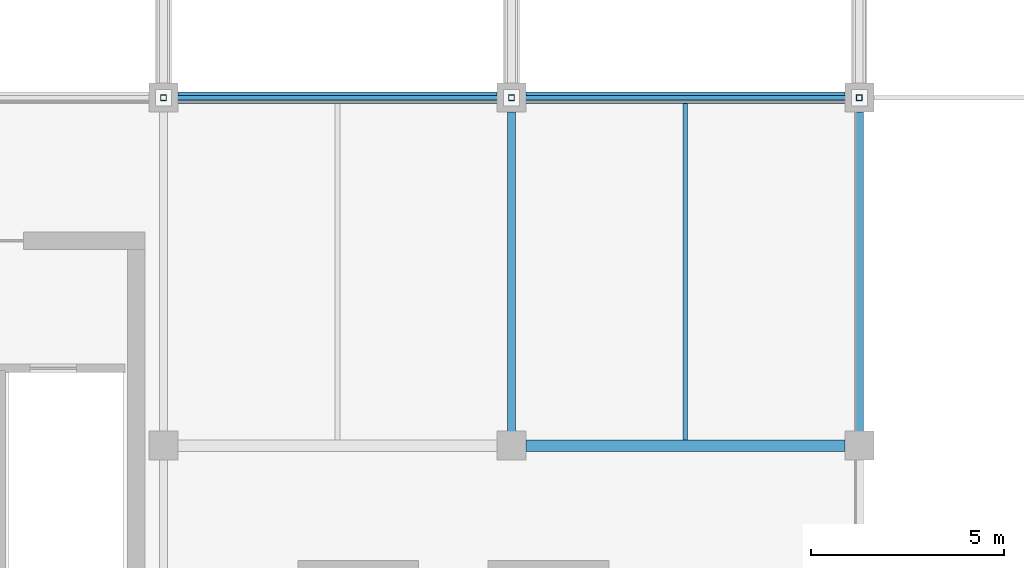
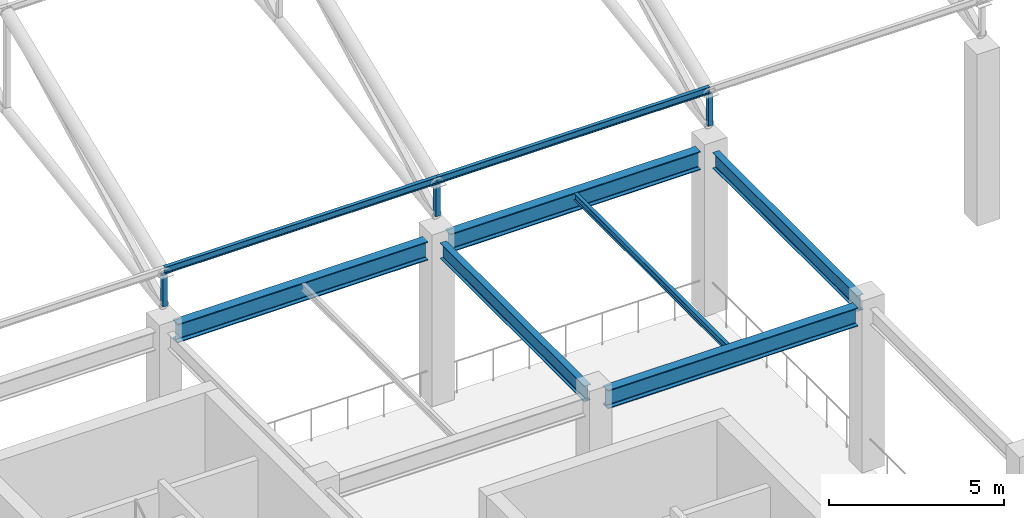
# One storey, part 82 of 223: 6 beams, 5 members.
"""IFC4 building model written with IfcOpenShell, lengths in metres."""

import ifcopenshell
import ifcopenshell.guid

model = None  # the IFC model being written
_history = None  # IfcOwnerHistory: only IFC2X3 demands one
_inside = {}  # id of a spatial element -> (the spatial element, [elements in it])
_under = {}  # id of a project, library or spatial element -> (it, [spatial elements below it])
_declared = {}  # id of a project -> (the project, [libraries it declares])
_typed = {}  # id of a type object -> (the type object, [elements of that type])
_made_of = {}  # id of a material, layer set ... -> (it, [elements and type objects made of it])


def new_model(schema):
    """Start an empty IFC model of exactly this schema.

    Asked for "IFC4X3", IfcOpenShell would pick the latest addendum, in which some entities
    have other attributes; the version numbers below select the first issue.
    IFC2X3 requires an IfcOwnerHistory on every rooted entity: one is made here for all.
    """
    global model, _history
    if schema == "IFC4X3":
        model = ifcopenshell.file(schema_version=(4, 3, 0, 0))
    else:
        model = ifcopenshell.file(schema=schema)
    _inside.clear()
    _under.clear()
    _declared.clear()
    _typed.clear()
    _made_of.clear()
    _history = None
    if model.schema == "IFC2X3":
        org = make("IfcOrganization", Name="unknown")
        user = make(
            "IfcPersonAndOrganization",
            ThePerson=make("IfcPerson", FamilyName="unknown"),
            TheOrganization=org,
        )
        app = make(
            "IfcApplication",
            ApplicationDeveloper=org,
            Version="unknown",
            ApplicationFullName="unknown",
            ApplicationIdentifier="unknown",
        )
        _history = make(
            "IfcOwnerHistory",
            OwningUser=user,
            OwningApplication=app,
            ChangeAction="ADDED",
            CreationDate=0,
        )
    return model


def make(cls, **values):
    """One entity of the class cls with the attributes given. An attribute that is None is left unset."""
    return model.create_entity(
        cls, **{name: value for name, value in values.items() if value is not None}
    )


def rooted(cls, **values):
    """An entity with a GlobalId (a new one), such as an element, a storey or a relation."""
    return make(cls, GlobalId=ifcopenshell.guid.new(), OwnerHistory=_history, **values)


def si_unit(unit_type, name, prefix=None):
    """IfcSIUnit, for example si_unit("LENGTHUNIT", "METRE", prefix="MILLI")."""
    return make("IfcSIUnit", UnitType=unit_type, Prefix=prefix, Name=name)


def assignment(units):
    """IfcUnitAssignment: the units of a project."""
    return None if units is None else make("IfcUnitAssignment", Units=units)


def point(xyz):
    """IfcCartesianPoint."""
    return None if xyz is None else make("IfcCartesianPoint", Coordinates=xyz)


def direction(xyz):
    """IfcDirection."""
    return None if xyz is None else make("IfcDirection", DirectionRatios=xyz)


def frame(location, z_axis=None, x_axis=None):
    """IfcAxis2Placement3D, a coordinate frame: its origin and axes. An axis left out is left unset."""
    return make(
        "IfcAxis2Placement3D",
        Location=point(location),
        Axis=direction(z_axis),
        RefDirection=direction(x_axis),
    )


def frame_2d(location, x_axis=None):
    """IfcAxis2Placement2D, a coordinate frame in the plane: its origin and x axis."""
    return make(
        "IfcAxis2Placement2D", Location=point(location), RefDirection=direction(x_axis)
    )


def origin():
    """The frame at (0, 0, 0) with its axes left unset."""
    return frame((0.0, 0.0, 0.0))


def origin_2d():
    """The frame at (0, 0) in the plane with its x axis left unset."""
    return frame_2d((0.0, 0.0))


def place(relative_to, where):
    """IfcLocalPlacement: puts the frame where relative to a parent placement (None: the world)."""
    return make(
        "IfcLocalPlacement", PlacementRelTo=relative_to, RelativePlacement=where
    )


def context(
    kind, dimensions, precision=None, world=None, true_north=None, identifier=None
):
    """IfcGeometricRepresentationContext, for example the 3D "Model" context."""
    return make(
        "IfcGeometricRepresentationContext",
        ContextIdentifier=identifier,
        ContextType=kind,
        CoordinateSpaceDimension=dimensions,
        Precision=precision,
        WorldCoordinateSystem=world,
        TrueNorth=true_north,
    )


def subcontext(parent, identifier, kind, view, scale=None):
    """IfcGeometricRepresentationSubContext, for example "Body" below "Model"."""
    return make(
        "IfcGeometricRepresentationSubContext",
        ContextIdentifier=identifier,
        ContextType=kind,
        ParentContext=parent,
        TargetScale=scale,
        TargetView=view,
    )


def project(units=None, contexts=None):
    """IfcProject with its units and contexts."""
    return rooted(
        "IfcProject",
        Name="project",
        RepresentationContexts=contexts,
        UnitsInContext=assignment(units),
    )


def spatial(cls, under=None, at=None, **own):
    """A site, building, storey or space (cls), placed at a placement, below another one or the project."""
    s = rooted(cls, ObjectPlacement=at, **own)
    if under is not None:
        _under.setdefault(under.id(), (under, []))[1].append(s)
    return s


def profile(cls, at=None, kind="AREA", **sizes):
    """A parametric profile (cls). Its sizes go by their IFC names, for example OverallWidth=200.0."""
    return make(cls, ProfileType=kind, Position=at, **sizes)


def hollow_rectangle(**sizes):
    """IfcRectangleHollowProfileDef."""
    return profile("IfcRectangleHollowProfileDef", **sizes)


def i_section(**sizes):
    """IfcIShapeProfileDef."""
    return profile("IfcIShapeProfileDef", **sizes)


def extrude(swept, where, along, depth):
    """IfcExtrudedAreaSolid: the profile swept, set in the frame where, extruded along a direction by depth."""
    return make(
        "IfcExtrudedAreaSolid",
        SweptArea=swept,
        Position=where,
        ExtrudedDirection=direction(along),
        Depth=depth,
    )


def shape(context_of_items, identifier, shape_type, items):
    """IfcShapeRepresentation: the items that make up one representation, for example the "Body"."""
    return make(
        "IfcShapeRepresentation",
        ContextOfItems=context_of_items,
        RepresentationIdentifier=identifier,
        RepresentationType=shape_type,
        Items=items,
    )


def material(Name=None, Category=None):
    """IfcMaterial."""
    return make("IfcMaterial", Name=Name, Category=Category)


def material_profile(
    of_material, cross_section, Name=None, Category=None, Priority=None
):
    """IfcMaterialProfile: a cross section and its material."""
    return make(
        "IfcMaterialProfile",
        Name=Name,
        Material=of_material,
        Profile=cross_section,
        Priority=Priority,
        Category=Category,
    )


def profile_set(profiles, Name=None, composite=None):
    """IfcMaterialProfileSet."""
    return make(
        "IfcMaterialProfileSet",
        Name=Name,
        MaterialProfiles=profiles,
        CompositeProfile=composite,
    )


def made_of(thing, what):
    """Note that an element or type object is made of a material, layer set ...; save() writes the relation."""
    if what is not None:
        _made_of.setdefault(what.id(), (what, []))[1].append(thing)
    return thing


def type_object(cls, material=None, **own):
    """A type object (cls), such as IfcWallType, which elements share."""
    return made_of(rooted(cls, **own), material)


def element(
    cls,
    number,
    at=None,
    inside=None,
    cuts=None,
    type_object=None,
    material=None,
    context=None,
    identifier="Body",
    shape_type=None,
    held_by="IfcProductDefinitionShape",
    body=None,
    shapes=None,
    **own,
):
    """One element of the class cls, such as IfcWall. Its Tag is "e" and its number.

    at: its placement. inside: the storey or other place that contains it. cuts: it is an
    opening in that element (IfcRelVoidsElement). A single representation is given by context,
    identifier, shape_type and body (its items); several are given by shapes. held_by: the class
    of the entity that holds the representations. save() writes the other relations.
    """
    e = rooted(cls, Tag="e%d" % number, ObjectPlacement=at, **own)
    if body is not None:
        shapes = [shape(context, identifier, shape_type, body)]
    if shapes is not None:
        e.Representation = make(held_by, Representations=shapes)
    if inside is not None:
        _inside.setdefault(inside.id(), (inside, []))[1].append(e)
    if cuts is not None:
        rooted(
            "IfcRelVoidsElement", RelatingBuildingElement=cuts, RelatedOpeningElement=e
        )
    if type_object is not None:
        _typed.setdefault(type_object.id(), (type_object, []))[1].append(e)
    return made_of(e, material)


def aggregate(whole, parts):
    """IfcRelAggregates: a whole, such as a stair, and the parts it consists of."""
    return rooted("IfcRelAggregates", RelatingObject=whole, RelatedObjects=parts)


def save(model, path):
    """Write the relations noted so far, then the file.

    IfcRelAggregates (storeys below a building ...), IfcRelContainedInSpatialStructure (elements
    in a storey), IfcRelDefinesByType, IfcRelAssociatesMaterial and IfcRelDeclares: one each for
    every whole, place, type object, material and project.
    """
    for whole, parts in _under.values():
        aggregate(whole, parts)
    for where, things in _inside.values():
        rooted(
            "IfcRelContainedInSpatialStructure",
            RelatedElements=things,
            RelatingStructure=where,
        )
    for kind, things in _typed.values():
        rooted("IfcRelDefinesByType", RelatedObjects=things, RelatingType=kind)
    for what, things in _made_of.values():
        rooted("IfcRelAssociatesMaterial", RelatedObjects=things, RelatingMaterial=what)
    for by, libraries in _declared.values():
        rooted("IfcRelDeclares", RelatingContext=by, RelatedDefinitions=libraries)
    model.write(path)


model = new_model("IFC4")

# Units and contexts
model_context = context("Model", 3, precision=1e-05, world=origin(), true_north=direction((0.0, 1.0)))
body_context = subcontext(model_context, "Body", "Model", "MODEL_VIEW")
ifc_project = project(units=[si_unit("LENGTHUNIT", "METRE"), si_unit("AREAUNIT", "SQUARE_METRE"), si_unit("VOLUMEUNIT", "CUBIC_METRE"), si_unit("PLANEANGLEUNIT", "RADIAN"), si_unit("MASSUNIT", "GRAM", prefix="KILO")], contexts=[model_context])

# Site, building, storey
site_placement = place(None, origin())
site = spatial("IfcSite", under=ifc_project, at=site_placement, CompositionType="ELEMENT")
building_placement = place(site_placement, origin())
building = spatial("IfcBuilding", under=site, at=building_placement, Name="Dornveld Trade and Exhibition Forum", CompositionType="ELEMENT")
storey_placement = place(building_placement, frame((0.0, 0.0, 6.0)))
storey = spatial("IfcBuildingStorey", under=building, at=storey_placement, Name="L01", CompositionType="ELEMENT", Elevation=6.0)

# Beams
ifc_material_1 = material(Name="Steel S355J2", Category="steel")
ifc_material_profile_1 = material_profile(ifc_material_1, i_section(OverallWidth=0.300048828125, OverallDepth=0.64990234375, WebThickness=0.01611328125, FlangeThickness=0.031005859375, FilletRadius=0.027099609375, at=origin_2d()), Name="HEB 650")
ifc_profile_set_1 = profile_set([ifc_material_profile_1], Name="Steel S355J2")
beam_type_1 = type_object("IfcBeamType", Name="BM-GIR-HEB650", PredefinedType="USERDEFINED", material=ifc_profile_set_1)
for number, where, z_axis, x_axis, name in (
    (1, (144.37109375, 99.0, 5.31494140625), (1.0, 0.0, 0.0), (0.0, 1.0, 0.0), "L01 X-girder 1189"),
    (2, (135.37109375, 108.0, 5.31494140625), (1.0, 0.0, 0.0), (0.0, 1.0, 0.0), "L01 X-girder 1196"),
    (3, (144.37109375, 108.0, 5.31494140625), (1.0, 0.0, 0.0), (0.0, 1.0, 0.0), "L01 X-girder 1197"),
):
    element("IfcBeam", number, at=place(storey_placement, frame(where, z_axis=z_axis, x_axis=x_axis)), inside=storey, type_object=beam_type_1, Name=name, ObjectType="GIRDER", PredefinedType="USERDEFINED", context=body_context, shape_type="SweptSolid", body=[
        extrude(i_section(OverallWidth=0.300048828125, OverallDepth=0.64990234375, WebThickness=0.01611328125, FlangeThickness=0.031005859375, FilletRadius=0.027099609375, at=origin_2d()), origin(), (0.0, 0.0, 1.0), 8.2578125),
    ])
ifc_material_2 = material(Name="Steel S355J2", Category="steel")
ifc_material_profile_2 = material_profile(ifc_material_2, i_section(OverallWidth=0.1201171875, OverallDepth=0.239990234375, WebThickness=0.006103515625, FlangeThickness=0.009765625, FilletRadius=0.014892578125, at=origin_2d()), Name="IPE 240")
ifc_profile_set_2 = profile_set([ifc_material_profile_2], Name="Steel S355J2")
beam_type_2 = type_object("IfcBeamType", Name="BM-JOIST-240", PredefinedType="JOIST", material=ifc_profile_set_2)
beam_placement = place(storey_placement, frame((148.5, 99.14697265625, 5.52001953125), z_axis=(0.0, 1.0, 0.0), x_axis=(-1.0, 0.0, 0.0)))
element("IfcBeam", 4, at=beam_placement, inside=storey, type_object=beam_type_2, Name="L01 secondary joist 1275", PredefinedType="JOIST", context=body_context, shape_type="SweptSolid", body=[
    extrude(i_section(OverallWidth=0.1201171875, OverallDepth=0.239990234375, WebThickness=0.006103515625, FlangeThickness=0.009765625, FilletRadius=0.014892578125, at=origin_2d()), origin(), (0.0, 0.0, 1.0), 8.7060546875),
])
ifc_material_3 = material(Name="Steel S355J2", Category="steel")
ifc_material_profile_3 = material_profile(ifc_material_3, i_section(OverallWidth=0.2099609375, OverallDepth=0.550048828125, WebThickness=0.010986328125, FlangeThickness=0.01708984375, FilletRadius=0.02392578125, at=origin_2d()), Name="IPE 550")
ifc_profile_set_3 = profile_set([ifc_material_profile_3], Name="Steel S355J2")
beam_type_3 = type_object("IfcBeamType", Name="BM-SEC-550", PredefinedType="BEAM", material=ifc_profile_set_3)
for number, where, z_axis, x_axis, name in (
    (5, (144.0, 99.37109375, 5.364990234375), (0.0, 1.0, 0.0), (-1.0, 0.0, 0.0), "L01 Y-girder 1241"),
    (6, (153.0, 99.37109375, 5.364990234375), (0.0, 1.0, 0.0), (-1.0, 0.0, 0.0), "L01 Y-girder 1249"),
):
    element("IfcBeam", number, at=place(storey_placement, frame(where, z_axis=z_axis, x_axis=x_axis)), inside=storey, type_object=beam_type_3, Name=name, PredefinedType="BEAM", context=body_context, shape_type="SweptSolid", body=[
        extrude(i_section(OverallWidth=0.2099609375, OverallDepth=0.550048828125, WebThickness=0.010986328125, FlangeThickness=0.01708984375, FilletRadius=0.02392578125, at=origin_2d()), origin(), (0.0, 0.0, 1.0), 8.2578125),
    ])

# Members
ifc_material_4 = material(Name="Steel S355J2", Category="steel")
ifc_material_profile_4 = material_profile(ifc_material_4, hollow_rectangle(XDim=0.14990234375, YDim=0.14990234375, WallThickness=0.008056640625, at=origin_2d()), Name="SHS 150x150x8")
ifc_profile_set_4 = profile_set([ifc_material_profile_4], Name="Steel S355J2")
member_type_1 = type_object("IfcMemberType", Name="MEM-ARCH-STR", PredefinedType="STRUT", material=ifc_profile_set_4)
for number, where, z_axis, x_axis, name in (
    (7, (135.0, 108.0, 6.35009765625), (0.0, 0.0, 1.0), (1.0, 0.0, 0.0), "H1 truss 5 strut 1"),
    (8, (144.0, 108.0, 6.35009765625), (0.0, 0.0, 1.0), (1.0, 0.0, 0.0), "H1 truss 6 strut 1"),
    (9, (153.0, 108.0, 6.35009765625), (0.0, 0.0, 1.0), (1.0, 0.0, 0.0), "H1 truss 7 strut 1"),
):
    element("IfcMember", number, at=place(storey_placement, frame(where, z_axis=z_axis, x_axis=x_axis)), inside=storey, type_object=member_type_1, Name=name, PredefinedType="STRUT", context=body_context, shape_type="SweptSolid", body=[
        extrude(hollow_rectangle(XDim=0.14990234375, YDim=0.14990234375, WallThickness=0.008056640625, at=origin_2d()), origin(), (0.0, 0.0, 1.0), 1.099853515625),
    ])
ifc_material_5 = material(Name="Steel S355J2", Category="steel")
ifc_material_profile_5 = material_profile(ifc_material_5, i_section(OverallWidth=0.1201171875, OverallDepth=0.239990234375, WebThickness=0.006103515625, FlangeThickness=0.009765625, FilletRadius=0.014892578125, at=origin_2d()), Name="IPE 240")
ifc_profile_set_5 = profile_set([ifc_material_profile_5], Name="Steel S355J2")
member_type_2 = type_object("IfcMemberType", Name="MEM-PURLIN-240", PredefinedType="PURLIN", material=ifc_profile_set_5)
for number, where, z_axis, x_axis, name in (
    (10, (135.0, 108.0, 7.58203125), (1.0, 0.0, 0.0), (0.0, 1.0, 0.0), "H1 bay 5 roof purlin 1"),
    (11, (144.0, 108.0, 7.58203125), (1.0, 0.0, 0.0), (0.0, 1.0, 0.0), "H1 bay 6 roof purlin 1"),
):
    element("IfcMember", number, at=place(storey_placement, frame(where, z_axis=z_axis, x_axis=x_axis)), inside=storey, type_object=member_type_2, Name=name, PredefinedType="PURLIN", context=body_context, shape_type="SweptSolid", body=[
        extrude(i_section(OverallWidth=0.1201171875, OverallDepth=0.239990234375, WebThickness=0.006103515625, FlangeThickness=0.009765625, FilletRadius=0.014892578125, at=origin_2d()), origin(), (0.0, 0.0, 1.0), 9.0),
    ])

save(model, "model.ifc")
